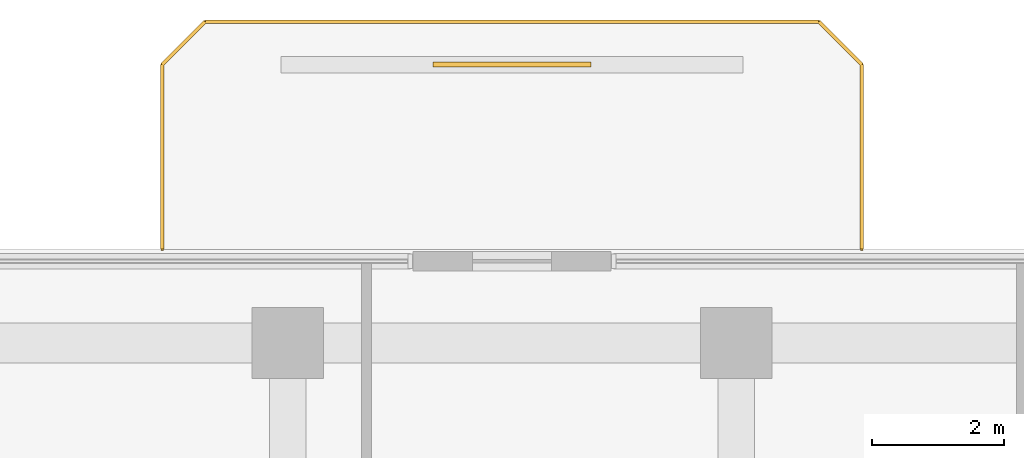
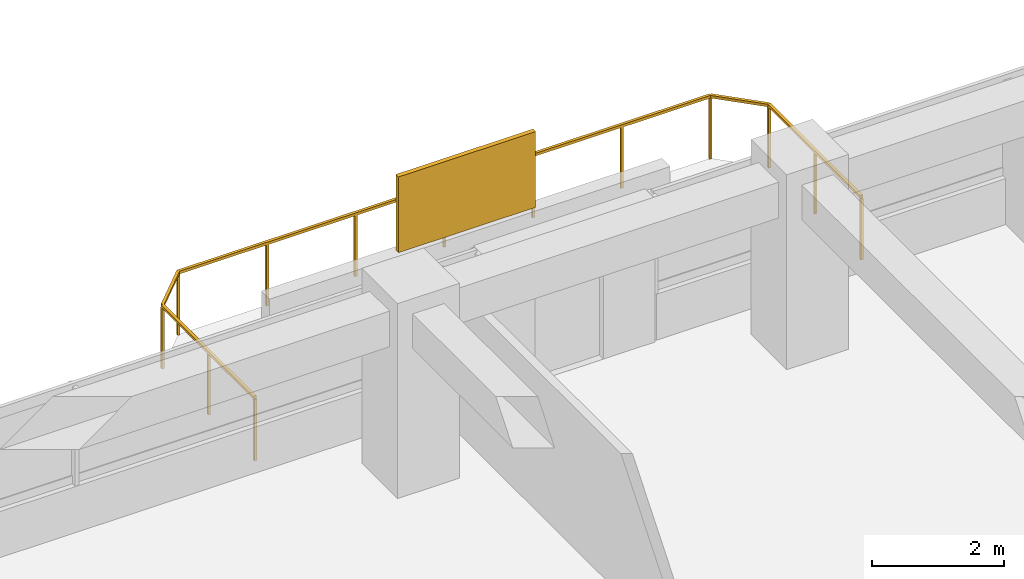
# One storey, part 14 of 14: 1 railing, 1 shading device.
"""IFC4 building model written with IfcOpenShell, lengths in metres."""

from ifc_helpers import new_model, si_unit, derived_unit, direction, frame, origin, origin_2d, place, context, subcontext, project, spatial, rectangle, extrude, material, layer, layer_set, type_object, element, save


model = new_model("IFC4")

# Units and contexts
model_context = context("Model", 3, precision=1e-05, world=origin(), true_north=direction((0.0, 1.0)))
body_context = subcontext(model_context, "Body", "Model", "MODEL_VIEW")
ifc_project = project(units=[si_unit("LENGTHUNIT", "METRE"), si_unit("AREAUNIT", "SQUARE_METRE"), si_unit("VOLUMEUNIT", "CUBIC_METRE"), si_unit("PLANEANGLEUNIT", "RADIAN"), si_unit("MASSUNIT", "GRAM", prefix="KILO"), derived_unit("THERMALTRANSMITTANCEUNIT", [(si_unit("POWERUNIT", "WATT"), 1), (si_unit("LENGTHUNIT", "METRE"), -2), (si_unit("THERMODYNAMICTEMPERATUREUNIT", "KELVIN"), -1)])], contexts=[model_context])

# Site, building, storey
site_placement = place(None, origin())
site = spatial("IfcSite", under=ifc_project, at=site_placement, CompositionType="ELEMENT")
building_placement = place(site_placement, origin())
building = spatial("IfcBuilding", under=site, at=building_placement, Name="Koralith Skygarden Medical Center", CompositionType="ELEMENT")
storey_placement = place(building_placement, frame((0.0, 0.0, 31.139892578125)))
storey = spatial("IfcBuildingStorey", under=building, at=storey_placement, Name="L07", CompositionType="ELEMENT", Elevation=31.139892578125)

# Railing
ifc_material_1 = material(Name="Steel ASTM A500 Grade C", Category="steel")
railing_type = type_object("IfcRailingType", Name="Outdoor Terrace & Balcony Safety Guardrail 1180", PredefinedType="GUARDRAIL", material=ifc_material_1)
railing_placement = place(storey_placement, frame((42.300048828125, 49.5, 0.0)))
element("IfcRailing", 1, at=railing_placement, inside=storey, type_object=railing_type, Name="L07 N Balcony Perimeter Guardrail", PredefinedType="GUARDRAIL", context=body_context, shape_type="SweptSolid", body=[
    extrude(rectangle(XDim=0.050048828125, YDim=0.050048828125, at=origin_2d()), frame((0.0, 0.001953125, 1.15478515625), z_axis=(0.0, 1.0, 0.0), x_axis=(-1.0, 0.0, 0.0)), (0.0, 0.0, 1.0), 2.796142578125),
    extrude(rectangle(XDim=0.050048828125, YDim=0.050048828125, at=origin_2d()), frame((-0.00146484375, 2.801513671875, 1.15478515625), z_axis=(-0.707239558722, 0.706973978714, 0.0), x_axis=(-0.706973978714, -0.707239558722, 0.0)), (0.0, 0.0, 1.0), 0.915283203125),
    extrude(rectangle(XDim=0.050048828125, YDim=0.050048828125, at=origin_2d()), frame((-0.652099609375, 3.449951171875, 1.15478515625), z_axis=(-1.0, 0.0, 0.0), x_axis=(0.0, -1.0, 0.0)), (0.0, 0.0, 1.0), 9.2958984375),
    extrude(rectangle(XDim=0.050048828125, YDim=0.050048828125, at=origin_2d()), frame((-9.951416015625, 3.448486328125, 1.15478515625), z_axis=(-0.707239558722, -0.706973978714, 0.0), x_axis=(0.706973978714, -0.707239558722, 0.0)), (0.0, 0.0, 1.0), 0.915283203125),
    extrude(rectangle(XDim=0.050048828125, YDim=0.050048828125, at=origin_2d()), frame((-10.60009765625, 2.798095703125, 1.15478515625), z_axis=(0.0, -1.0, 0.0), x_axis=(1.0, 0.0, 0.0)), (0.0, 0.0, 1.0), 2.796142578125),
    extrude(rectangle(XDim=0.0419921875, YDim=0.0419921875, at=origin_2d()), origin(), (0.0, 0.0, 1.0), 1.1279296875),
    extrude(rectangle(XDim=0.0419921875, YDim=0.0419921875, at=origin_2d()), frame((0.0, 1.39990234375, 0.0)), (0.0, 0.0, 1.0), 1.1279296875),
    extrude(rectangle(XDim=0.0419921875, YDim=0.0419921875, at=origin_2d()), frame((0.0, 2.800048828125, 0.0)), (0.0, 0.0, 1.0), 1.1279296875),
    extrude(rectangle(XDim=0.0419921875, YDim=0.0419921875, at=origin_2d()), frame((-0.650146484375, 3.449951171875, 0.0)), (0.0, 0.0, 1.0), 1.1279296875),
    extrude(rectangle(XDim=0.0419921875, YDim=0.0419921875, at=origin_2d()), frame((-2.2001953125, 3.449951171875, 0.0)), (0.0, 0.0, 1.0), 1.1279296875),
    extrude(rectangle(XDim=0.0419921875, YDim=0.0419921875, at=origin_2d()), frame((-3.75, 3.449951171875, 0.0)), (0.0, 0.0, 1.0), 1.1279296875),
    extrude(rectangle(XDim=0.0419921875, YDim=0.0419921875, at=origin_2d()), frame((-5.300048828125, 3.449951171875, 0.0)), (0.0, 0.0, 1.0), 1.1279296875),
    extrude(rectangle(XDim=0.0419921875, YDim=0.0419921875, at=origin_2d()), frame((-6.85009765625, 3.449951171875, 0.0)), (0.0, 0.0, 1.0), 1.1279296875),
    extrude(rectangle(XDim=0.0419921875, YDim=0.0419921875, at=origin_2d()), frame((-8.39990234375, 3.449951171875, 0.0)), (0.0, 0.0, 1.0), 1.1279296875),
    extrude(rectangle(XDim=0.0419921875, YDim=0.0419921875, at=origin_2d()), frame((-9.949951171875, 3.449951171875, 0.0)), (0.0, 0.0, 1.0), 1.1279296875),
    extrude(rectangle(XDim=0.0419921875, YDim=0.0419921875, at=origin_2d()), frame((-10.60009765625, 2.800048828125, 0.0)), (0.0, 0.0, 1.0), 1.1279296875),
    extrude(rectangle(XDim=0.0419921875, YDim=0.0419921875, at=origin_2d()), frame((-10.60009765625, 1.39990234375, 0.0)), (0.0, 0.0, 1.0), 1.1279296875),
    extrude(rectangle(XDim=0.0419921875, YDim=0.0419921875, at=origin_2d()), frame((-10.60009765625, 0.0, 0.0)), (0.0, 0.0, 1.0), 1.1279296875),
])

# Shading device
ifc_material_2 = material(Name="Aluminium 6063-T6", Category="aluminium")
ifc_layer = layer(ifc_material_2, 0.080078125)
ifc_layer_set = layer_set([ifc_layer], Name="Aluminium 6063-T6")
shading_device_type = type_object("IfcShadingDeviceType", Name="Perforated Biophilic Balcony Trellis Screen", PredefinedType="USERDEFINED", material=ifc_layer_set)
shading_device_placement = place(storey_placement, frame((37.0, 52.300048828125, 0.72021484375), z_axis=(0.0, 0.0, 1.0), x_axis=(1.0, 0.0, 0.0)))
element("IfcShadingDevice", 2, at=shading_device_placement, inside=storey, type_object=shading_device_type, Name="L07 N Biophilic Balcony Trellis Screen", ObjectType="HURRICANE SCREEN", PredefinedType="USERDEFINED", context=body_context, shape_type="SweptSolid", body=[
    extrude(rectangle(XDim=2.39990234375, YDim=0.080078125, at=origin_2d()), origin(), (0.0, 0.0, 1.0), 1.39990234375),
])

save(model, "model.ifc")
